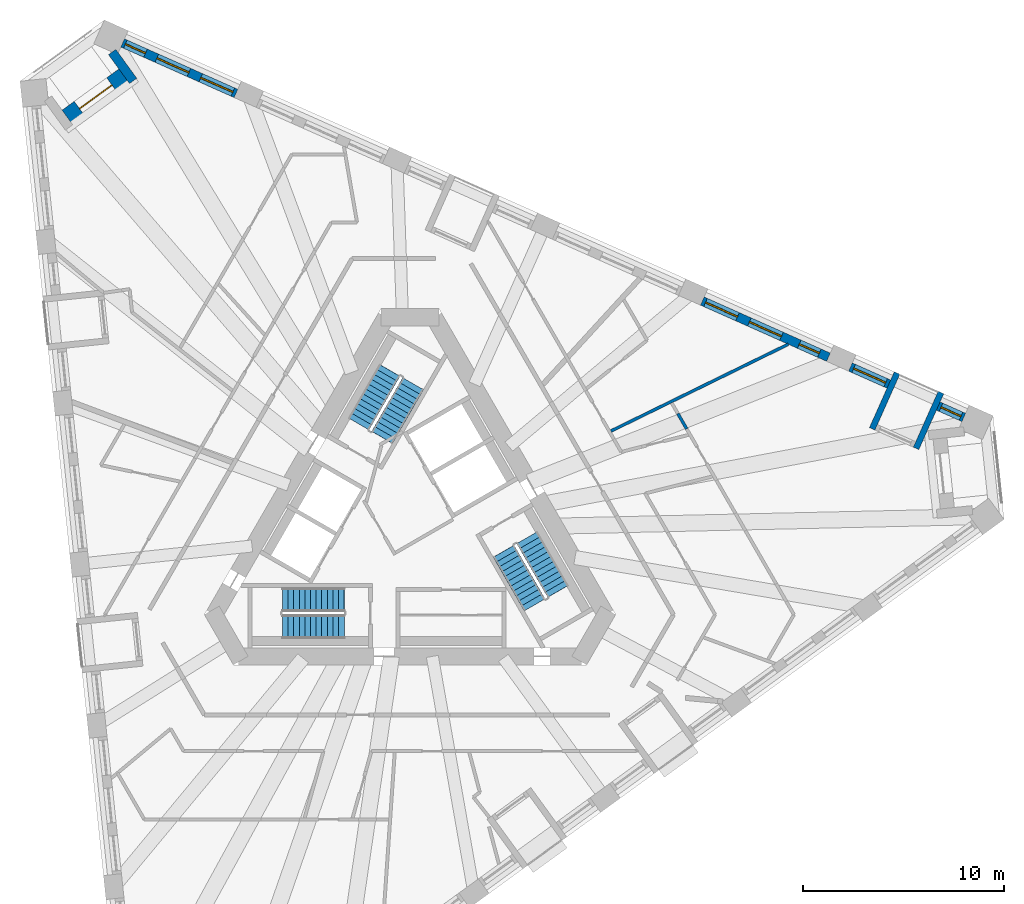
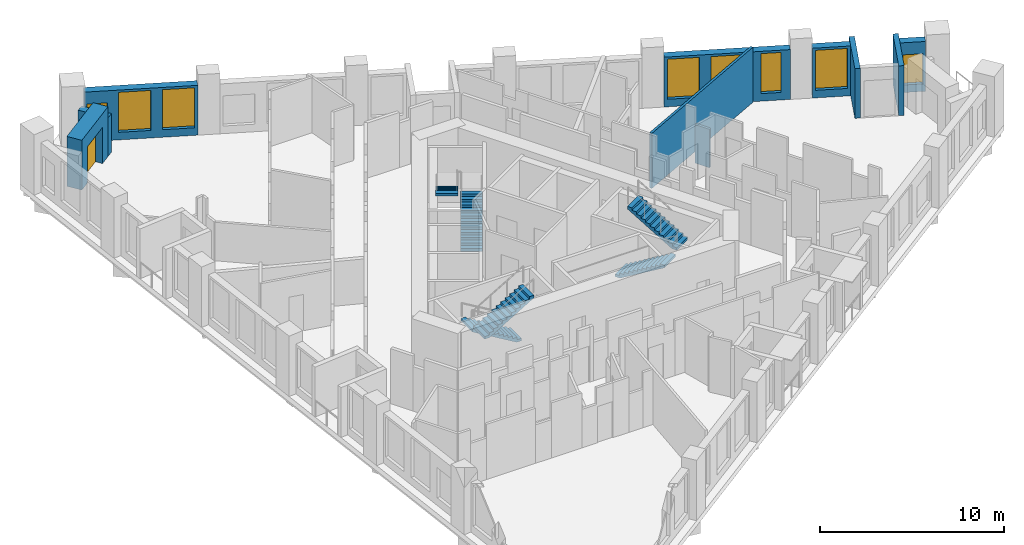
# One storey, part 9 of 14: 10 walls, 8 windows, 6 stair flights, 1 door, 9 openings, 3 elements without a shape of their own.
"""IFC4 building model written with IfcOpenShell, lengths in metres."""

from ifc_helpers import new_model, si_unit, direction, frame, frame_2d, origin, place, context, subcontext, project, spatial, polyline, rectangle, outline, extrude, material, layer, layer_set, type_object, element, fill, aggregate, save


model = new_model("IFC4")

# Units and contexts
model_context = context("Model", 3, precision=1e-05, world=origin(), true_north=direction((0.0, 1.0)))
body_context = subcontext(model_context, "Body", "Model", "MODEL_VIEW")
ifc_project = project(units=[si_unit("LENGTHUNIT", "METRE"), si_unit("AREAUNIT", "SQUARE_METRE"), si_unit("VOLUMEUNIT", "CUBIC_METRE"), si_unit("PLANEANGLEUNIT", "RADIAN"), si_unit("MASSUNIT", "GRAM", prefix="KILO")], contexts=[model_context])

# Site, building, storey
site_placement = place(None, origin())
site = spatial("IfcSite", under=ifc_project, at=site_placement, CompositionType="ELEMENT")
building_placement = place(site_placement, origin())
building = spatial("IfcBuilding", under=site, at=building_placement, Name="Tramontana Tower", CompositionType="ELEMENT")
storey_placement = place(building_placement, frame((0.0, 0.0, 186.800048828125)))
storey = spatial("IfcBuildingStorey", under=building, at=storey_placement, Name="L43", CompositionType="ELEMENT", Elevation=186.800048828125)

# Wall, opening, window
ifc_material_1 = material(Name="Precast concrete 60 MPa", Category="concrete")
ifc_layer_1 = layer(ifc_material_1, 0.449951171875)
ifc_layer_set_1 = layer_set([ifc_layer_1], Name="Precast concrete 60 MPa, 450 mm")
wall_type_1 = type_object("IfcWallType", Name="EW1 Stone-faced precast wall 450", PredefinedType="SOLIDWALL", material=ifc_layer_set_1)
wall_1_placement = place(storey_placement, frame((27.604736328125, 5.57958984375, 0.0), z_axis=(0.0, 0.0, 1.0), x_axis=(-0.913558681389, 0.406706940756, 0.0)))
wall_1 = element("IfcWall", 1, at=wall_1_placement, inside=storey, type_object=wall_type_1, Name="External wall L43 face 2 bay 1", PredefinedType="SOLIDWALL", context=body_context, shape_type="SweptSolid", body=[
    extrude(rectangle(XDim=1.39453125, YDim=0.449951171875, at=frame_2d((0.697265625, 0.0))), origin(), (0.0, 0.0, 1.0), 3.300048828125),
])
opening_1_placement = place(wall_1_placement, frame((0.147216796875, 0.0, 0.5)))
opening_1 = element("IfcOpeningElement", 2, at=opening_1_placement, cuts=wall_1, Name="Opening N2L", PredefinedType="OPENING", context=body_context, shape_type="SweptSolid", body=[
    extrude(rectangle(XDim=1.10009765625, YDim=2.0, at=frame_2d((0.550048828125, 1.0))), frame((0.0, 0.23486328125, 0.0), z_axis=(0.0, -1.0, 0.0), x_axis=(1.0, 0.0, 0.0)), (0.0, 0.0, 1.0), 0.469970703125),
])
ifc_material_2 = material(Name="Aluminum frame, double glazing unit", Category="aluminium")
window_type_1 = type_object("IfcWindowType", Name="N2L Window 1.1 x 2", PartitioningType="SINGLE_PANEL", PredefinedType="WINDOW", material=ifc_material_2)
window_1_placement = place(opening_1_placement, origin())
window_1 = element("IfcWindow", 3, at=window_1_placement, inside=storey, type_object=window_type_1, Name="Window N2L L43 face 2 module 1", OverallHeight=2.0, OverallWidth=1.10009765625, PartitioningType="SINGLE_PANEL", PredefinedType="WINDOW", context=body_context, shape_type="SweptSolid", body=[
    extrude(rectangle(XDim=1.10009765625, YDim=2.0, at=frame_2d((0.550048828125, 1.0))), frame((0.0, 0.030029296875, 0.0), z_axis=(0.0, -1.0, 0.0), x_axis=(1.0, 0.0, 0.0)), (0.0, 0.0, 1.0), 0.06005859375),
])
fill(opening_1, window_1)

wall_2_placement = place(storey_placement, frame((23.86962890625, 7.242431640625, 0.0), z_axis=(0.0, 0.0, 1.0), x_axis=(-0.913513282906, 0.406808901026, 0.0)))
wall_2 = element("IfcWall", 4, at=wall_2_placement, inside=storey, type_object=wall_type_1, Name="External wall L43 face 2 bay 1", PredefinedType="SOLIDWALL", context=body_context, shape_type="SweptSolid", body=[
    extrude(rectangle(XDim=2.094482421875, YDim=0.449951171875, at=frame_2d((1.04736328125, 0.0))), origin(), (0.0, 0.0, 1.0), 3.300048828125),
])
opening_2_placement = place(wall_2_placement, frame((0.172119140625, 0.0, 0.5)))
opening_2 = element("IfcOpeningElement", 5, at=opening_2_placement, cuts=wall_2, Name="Opening M2", PredefinedType="OPENING", context=body_context, shape_type="SweptSolid", body=[
    extrude(rectangle(XDim=1.75, YDim=2.64990234375, at=frame_2d((0.875, 1.324951171875))), frame((0.0, 0.23486328125, 0.0), z_axis=(0.0, -1.0, 0.0), x_axis=(1.0, 0.0, 0.0)), (0.0, 0.0, 1.0), 0.469970703125),
])
ifc_material_3 = material(Name="Aluminum frame, double glazing unit", Category="aluminium")
window_type_2 = type_object("IfcWindowType", Name="M2 Window 1.75 x 2.65", PartitioningType="SINGLE_PANEL", PredefinedType="WINDOW", material=ifc_material_3)
window_2_placement = place(opening_2_placement, origin())
window_2 = element("IfcWindow", 6, at=window_2_placement, inside=storey, type_object=window_type_2, Name="Window M2 L43 face 2 module 3", OverallHeight=2.64990234375, OverallWidth=1.75, PartitioningType="SINGLE_PANEL", PredefinedType="WINDOW", context=body_context, shape_type="SweptSolid", body=[
    extrude(rectangle(XDim=1.75, YDim=2.64990234375, at=frame_2d((0.875, 1.324951171875))), frame((0.0, 0.030029296875, 0.0), z_axis=(0.0, -1.0, 0.0), x_axis=(1.0, 0.0, 0.0)), (0.0, 0.0, 1.0), 0.06005859375),
])
fill(opening_2, window_2)

# Wall, openings, windows
wall_3_placement = place(storey_placement, frame((20.860107421875, 8.58251953125, 0.0), z_axis=(0.0, 0.0, 1.0), x_axis=(-0.913543675585, 0.40674064562, 0.0)))
wall_3 = element("IfcWall", 7, at=wall_3_placement, inside=storey, type_object=wall_type_1, Name="External wall L43 face 2 bay 2", PredefinedType="SOLIDWALL", context=body_context, shape_type="SweptSolid", body=[
    extrude(rectangle(XDim=6.8828125, YDim=0.449951171875, at=frame_2d((3.44140625, 0.0))), origin(), (0.0, 0.0, 1.0), 3.300048828125),
])
opening_3_placement = place(wall_3_placement, frame((0.4970703125, 0.0, 0.5)))
opening_3 = element("IfcOpeningElement", 8, at=opening_3_placement, cuts=wall_3, Name="Opening N2", PredefinedType="OPENING", context=body_context, shape_type="SweptSolid", body=[
    extrude(rectangle(XDim=1.10009765625, YDim=2.64990234375, at=frame_2d((0.550048828125, 1.324951171875))), frame((0.0, 0.23486328125, 0.0), z_axis=(0.0, -1.0, 0.0), x_axis=(1.0, 0.0, 0.0)), (0.0, 0.0, 1.0), 0.469970703125),
])
opening_4_placement = place(wall_3_placement, frame((2.56640625, 0.0, 0.5)))
opening_4 = element("IfcOpeningElement", 9, at=opening_4_placement, cuts=wall_3, Name="Opening M2", PredefinedType="OPENING", context=body_context, shape_type="SweptSolid", body=[
    extrude(rectangle(XDim=1.75, YDim=2.64990234375, at=frame_2d((0.875, 1.324951171875))), frame((0.0, 0.23486328125, 0.0), z_axis=(0.0, -1.0, 0.0), x_axis=(1.0, 0.0, 0.0)), (0.0, 0.0, 1.0), 0.469970703125),
])
opening_5_placement = place(wall_3_placement, frame((4.960693359375, 0.0, 0.5)))
opening_5 = element("IfcOpeningElement", 10, at=opening_5_placement, cuts=wall_3, Name="Opening M2", PredefinedType="OPENING", context=body_context, shape_type="SweptSolid", body=[
    extrude(rectangle(XDim=1.75, YDim=2.64990234375, at=frame_2d((0.875, 1.324951171875))), frame((0.0, 0.23486328125, 0.0), z_axis=(0.0, -1.0, 0.0), x_axis=(1.0, 0.0, 0.0)), (0.0, 0.0, 1.0), 0.469970703125),
])
window_3_placement = place(opening_4_placement, origin())
window_3 = element("IfcWindow", 11, at=window_3_placement, inside=storey, type_object=window_type_2, Name="Window M2 L43 face 2 module 5", OverallHeight=2.64990234375, OverallWidth=1.75, PartitioningType="SINGLE_PANEL", PredefinedType="WINDOW", context=body_context, shape_type="SweptSolid", body=[
    extrude(rectangle(XDim=1.75, YDim=2.64990234375, at=frame_2d((0.875, 1.324951171875))), frame((0.0, 0.030029296875, 0.0), z_axis=(0.0, -1.0, 0.0), x_axis=(1.0, 0.0, 0.0)), (0.0, 0.0, 1.0), 0.06005859375),
])
fill(opening_4, window_3)
window_4_placement = place(opening_5_placement, origin())
window_4 = element("IfcWindow", 12, at=window_4_placement, inside=storey, type_object=window_type_2, Name="Window M2 L43 face 2 module 6", OverallHeight=2.64990234375, OverallWidth=1.75, PartitioningType="SINGLE_PANEL", PredefinedType="WINDOW", context=body_context, shape_type="SweptSolid", body=[
    extrude(rectangle(XDim=1.75, YDim=2.64990234375, at=frame_2d((0.875, 1.324951171875))), frame((0.0, 0.030029296875, 0.0), z_axis=(0.0, -1.0, 0.0), x_axis=(1.0, 0.0, 0.0)), (0.0, 0.0, 1.0), 0.06005859375),
])
fill(opening_5, window_4)
ifc_material_4 = material(Name="Aluminum frame, double glazing unit", Category="aluminium")
window_type_3 = type_object("IfcWindowType", Name="N2 Window 1.1 x 2.65", PartitioningType="SINGLE_PANEL", PredefinedType="WINDOW", material=ifc_material_4)
window_5_placement = place(opening_3_placement, origin())
window_5 = element("IfcWindow", 13, at=window_5_placement, inside=storey, type_object=window_type_3, Name="Window N2 L43 face 2 module 4", OverallHeight=2.64990234375, OverallWidth=1.10009765625, PartitioningType="SINGLE_PANEL", PredefinedType="WINDOW", context=body_context, shape_type="SweptSolid", body=[
    extrude(rectangle(XDim=1.10009765625, YDim=2.64990234375, at=frame_2d((0.550048828125, 1.324951171875))), frame((0.0, 0.030029296875, 0.0), z_axis=(0.0, -1.0, 0.0), x_axis=(1.0, 0.0, 0.0)), (0.0, 0.0, 1.0), 0.06005859375),
])
fill(opening_3, window_5)

wall_4_placement = place(storey_placement, frame((-8.67626953125, 21.73291015625, 0.0), z_axis=(0.0, 0.0, 1.0), x_axis=(-0.913542682641, 0.406742875773, 0.0)))
wall_4 = element("IfcWall", 14, at=wall_4_placement, inside=storey, type_object=wall_type_1, Name="External wall L43 face 2 bay 6", PredefinedType="SOLIDWALL", context=body_context, shape_type="SweptSolid", body=[
    extrude(rectangle(XDim=6.18310546875, YDim=0.449951171875, at=frame_2d((3.091552734375, 0.0))), origin(), (0.0, 0.0, 1.0), 3.300048828125),
])
opening_6_placement = place(wall_4_placement, frame((0.172119140625, 0.0, 0.5)))
opening_6 = element("IfcOpeningElement", 15, at=opening_6_placement, cuts=wall_4, Name="Opening M2", PredefinedType="OPENING", context=body_context, shape_type="SweptSolid", body=[
    extrude(rectangle(XDim=1.75, YDim=2.64990234375, at=frame_2d((0.875, 1.324951171875))), frame((0.0, 0.23486328125, 0.0), z_axis=(0.0, -1.0, 0.0), x_axis=(1.0, 0.0, 0.0)), (0.0, 0.0, 1.0), 0.469970703125),
])
opening_7_placement = place(wall_4_placement, frame((2.56640625, 0.0, 0.5)))
opening_7 = element("IfcOpeningElement", 16, at=opening_7_placement, cuts=wall_4, Name="Opening M2", PredefinedType="OPENING", context=body_context, shape_type="SweptSolid", body=[
    extrude(rectangle(XDim=1.75, YDim=2.64990234375, at=frame_2d((0.875, 1.324951171875))), frame((0.0, 0.23486328125, 0.0), z_axis=(0.0, -1.0, 0.0), x_axis=(1.0, 0.0, 0.0)), (0.0, 0.0, 1.0), 0.469970703125),
])
opening_8_placement = place(wall_4_placement, frame((4.935791015625, 0.0, 0.5)))
opening_8 = element("IfcOpeningElement", 17, at=opening_8_placement, cuts=wall_4, Name="Opening N2L", PredefinedType="OPENING", context=body_context, shape_type="SweptSolid", body=[
    extrude(rectangle(XDim=1.10009765625, YDim=2.0, at=frame_2d((0.550048828125, 1.0))), frame((0.0, 0.23486328125, 0.0), z_axis=(0.0, -1.0, 0.0), x_axis=(1.0, 0.0, 0.0)), (0.0, 0.0, 1.0), 0.469970703125),
])
window_6_placement = place(opening_6_placement, origin())
window_6 = element("IfcWindow", 18, at=window_6_placement, inside=storey, type_object=window_type_2, Name="Window M2 L43 face 2 module 16", OverallHeight=2.64990234375, OverallWidth=1.75, PartitioningType="SINGLE_PANEL", PredefinedType="WINDOW", context=body_context, shape_type="SweptSolid", body=[
    extrude(rectangle(XDim=1.75, YDim=2.64990234375, at=frame_2d((0.875, 1.324951171875))), frame((0.0, 0.030029296875, 0.0), z_axis=(0.0, -1.0, 0.0), x_axis=(1.0, 0.0, 0.0)), (0.0, 0.0, 1.0), 0.06005859375),
])
fill(opening_6, window_6)
window_7_placement = place(opening_7_placement, origin())
window_7 = element("IfcWindow", 19, at=window_7_placement, inside=storey, type_object=window_type_2, Name="Window M2 L43 face 2 module 17", OverallHeight=2.64990234375, OverallWidth=1.75, PartitioningType="SINGLE_PANEL", PredefinedType="WINDOW", context=body_context, shape_type="SweptSolid", body=[
    extrude(rectangle(XDim=1.75, YDim=2.64990234375, at=frame_2d((0.875, 1.324951171875))), frame((0.0, 0.030029296875, 0.0), z_axis=(0.0, -1.0, 0.0), x_axis=(1.0, 0.0, 0.0)), (0.0, 0.0, 1.0), 0.06005859375),
])
fill(opening_7, window_7)
window_8_placement = place(opening_8_placement, origin())
window_8 = element("IfcWindow", 20, at=window_8_placement, inside=storey, type_object=window_type_1, Name="Window N2L L43 face 2 module 18", OverallHeight=2.0, OverallWidth=1.10009765625, PartitioningType="SINGLE_PANEL", PredefinedType="WINDOW", context=body_context, shape_type="SweptSolid", body=[
    extrude(rectangle(XDim=1.10009765625, YDim=2.0, at=frame_2d((0.550048828125, 1.0))), frame((0.0, 0.030029296875, 0.0), z_axis=(0.0, -1.0, 0.0), x_axis=(1.0, 0.0, 0.0)), (0.0, 0.0, 1.0), 0.06005859375),
])
fill(opening_8, window_8)

# Wall
wall_5_placement = place(storey_placement, frame((-14.847900390625, 23.796630859375, 0.0), z_axis=(0.0, 0.0, 1.0), x_axis=(0.587722853316, -0.809062326209, 0.0)))
element("IfcWall", 21, at=wall_5_placement, inside=storey, type_object=wall_type_1, Name="Corner loggia side wall L43 K40r", PredefinedType="SOLIDWALL", context=body_context, shape_type="SweptSolid", body=[
    extrude(rectangle(XDim=1.779052734375, YDim=0.449951171875, at=frame_2d((0.8896484375, 0.0))), origin(), (0.0, 0.0, 1.0), 2.550048828125),
])

# Wall, opening, door
ifc_material_5 = material(Name="Precast concrete 60 MPa", Category="concrete")
ifc_layer_2 = layer(ifc_material_5, 0.89990234375)
ifc_layer_set_2 = layer_set([ifc_layer_2], Name="EW2 Stone-faced corner loggia wall 900")
wall_type_2 = type_object("IfcWallType", Name="EW2 Stone-faced corner loggia wall 900", PredefinedType="SOLIDWALL", material=ifc_layer_set_2)
wall_6_placement = place(storey_placement, frame((-17.080322265625, 20.53173828125, 0.0), z_axis=(0.0, 0.0, 1.0), x_axis=(0.809031597325, 0.587765152531, 0.0)))
wall_6 = element("IfcWall", 22, at=wall_6_placement, inside=storey, type_object=wall_type_2, Name="Corner loggia wall L43 K40", PredefinedType="SOLIDWALL", context=body_context, shape_type="SweptSolid", body=[
    extrude(rectangle(XDim=3.5, YDim=0.89990234375, at=frame_2d((1.75, 0.0))), origin(), (0.0, 0.0, 1.0), 3.300048828125),
])
opening_9_placement = place(wall_6_placement, frame((0.75, 0.0, 0.0)))
opening_9 = element("IfcOpeningElement", 23, at=opening_9_placement, cuts=wall_6, Name="Opening BD-40C", PredefinedType="OPENING", context=body_context, shape_type="SweptSolid", body=[
    extrude(rectangle(XDim=2.0, YDim=2.39990234375, at=frame_2d((1.0, 1.199951171875))), frame((0.0, 0.4599609375, 0.0), z_axis=(0.0, -1.0, 0.0), x_axis=(1.0, 0.0, 0.0)), (0.0, 0.0, 1.0), 0.919921875),
])
ifc_material_6 = material(Name="Aluminum frame, double glazing unit", Category="aluminium")
door_type = type_object("IfcDoorType", Name="BC1 Sliding door 2 x 2.4", OperationType="SLIDING_TO_LEFT", PredefinedType="DOOR", material=ifc_material_6)
door_placement = place(opening_9_placement, origin())
door = element("IfcDoor", 24, at=door_placement, inside=storey, type_object=door_type, Name="Corner loggia door L43 K40", OperationType="SLIDING_TO_LEFT", OverallHeight=2.39990234375, OverallWidth=2.0, PredefinedType="DOOR", context=body_context, shape_type="SweptSolid", body=[
    extrude(rectangle(XDim=2.0, YDim=2.39990234375, at=frame_2d((1.0, 1.199951171875))), frame((0.0, 0.02490234375, 0.0), z_axis=(0.0, -1.0, 0.0), x_axis=(1.0, 0.0, 0.0)), (0.0, 0.0, 1.0), 0.050048828125),
])
fill(opening_9, door)

# Walls
ifc_material_7 = material(Name="Precast concrete 60 MPa", Category="concrete")
ifc_layer_3 = layer(ifc_material_7, 0.300048828125)
ifc_layer_set_3 = layer_set([ifc_layer_3], Name="LW1 Stone-faced loggia wall 300")
wall_type_3 = type_object("IfcWallType", Name="LW1 Stone-faced loggia wall 300", PredefinedType="SOLIDWALL", material=ifc_layer_set_3)
for number, where, z_axis, x_axis, name in (
    (25, (26.468505859375, 6.82421875, 0.0), (0.0, 0.0, 1.0), (-0.406806804169, -0.913514216683, 0.0), "Loggia return L43 G4S2.1a"),
    (26, (24.281005859375, 7.798095703125, 0.0), (0.0, 0.0, 1.0), (-0.406739999721, -0.91354396316, 0.0), "Loggia return L43 G4S2.1b"),
):
    element("IfcWall", number, at=place(storey_placement, frame(where, z_axis=z_axis, x_axis=x_axis)), inside=storey, type_object=wall_type_3, Name=name, PredefinedType="SOLIDWALL", context=body_context, shape_type="SweptSolid", body=[
        extrude(rectangle(XDim=3.0498046875, YDim=0.300048828125, at=frame_2d((1.52490234375, 0.0))), origin(), (0.0, 0.0, 1.0), 3.300048828125),
    ])
ifc_material_8 = material(Name="Gypsum board partition")
ifc_layer_4 = layer(ifc_material_8, 0.14990234375)
ifc_layer_set_4 = layer_set([ifc_layer_4], Name="PARTITION 150")
wall_type_4 = type_object("IfcWallType", Name="PARTITION 150", PredefinedType="PARTITIONING", material=ifc_layer_set_4)
wall_7_placement = place(storey_placement, frame((10.015869140625, 4.902099609375, 0.0), z_axis=(0.0, 0.0, 1.0), x_axis=(0.898175873885, 0.439636326492, 0.0)))
element("IfcWall", 27, at=wall_7_placement, inside=storey, type_object=wall_type_4, Name="Wall v42-pw28", PredefinedType="PARTITIONING", context=body_context, shape_type="SweptSolid", body=[
    extrude(rectangle(XDim=9.841552734375, YDim=0.14990234375, at=frame_2d((4.9208984375, 0.0))), origin(), (0.0, 0.0, 1.0), 3.64990234375),
])
wall_8_placement = place(storey_placement, frame((13.3505859375, 5.7763671875, 0.0), z_axis=(0.0, 0.0, 1.0), x_axis=(0.499969398072, -0.866043071095, 0.0)))
element("IfcWall", 28, at=wall_8_placement, inside=storey, type_object=wall_type_4, Name="Wall v42-pw37-1", PredefinedType="PARTITIONING", context=body_context, shape_type="SweptSolid", body=[
    extrude(rectangle(XDim=0.88427734375, YDim=0.14990234375, at=frame_2d((0.442138671875, 0.0))), origin(), (0.0, 0.0, 1.0), 2.550048828125),
])

# Stair, stair flights
ifc_material_9 = material(Name="Concrete 40 MPa", Category="concrete")
stair_type = type_object("IfcStairType", Name="EXIT STAIR 24 RISERS", PredefinedType="HALF_TURN_STAIR", material=ifc_material_9)
stair_1_placement = place(storey_placement, origin())
stair_1 = element("IfcStair", 29, at=stair_1_placement, inside=storey, type_object=stair_type, Name="L43 Exit stair ST1", PredefinedType="HALF_TURN_STAIR")
ifc_material_10 = material(Name="Concrete 40 MPa", Category="concrete")
ifc_layer_5 = layer(ifc_material_10, 0.14990234375)
ifc_layer_set_5 = layer_set([ifc_layer_5], Name="EXIT STAIR FLIGHT")
stair_flight_type = type_object("IfcStairFlightType", Name="EXIT STAIR FLIGHT", PredefinedType="STRAIGHT", material=ifc_layer_set_5)
stair_flight_1_placement = place(storey_placement, frame((-1.39111328125, 4.590576171875, 0.0), z_axis=(0.0, 0.0, 1.0), x_axis=(0.5, 0.866025403784, 0.0)))
stair_flight_1 = element("IfcStairFlight", 30, at=stair_flight_1_placement, type_object=stair_flight_type, Name="ST1 flight 1", NumberOfRisers=12, NumberOfTreads=11, PredefinedType="STRAIGHT", RiserHeight=0.166666667, TreadLength=0.28, context=body_context, shape_type="SweptSolid", body=[
    extrude(outline(polyline([(-0.006103515625, 0.0), (-0.006103515625, 0.0400390625), (0.0, 0.0400390625), (0.0, 0.166748046875), (0.280029296875, 0.166748046875), (0.280029296875, 0.333251953125), (0.56005859375, 0.333251953125), (0.56005859375, 0.5), (0.840087890625, 0.5), (0.840087890625, 0.666748046875), (1.1201171875, 0.666748046875), (1.1201171875, 0.833251953125), (1.39990234375, 0.833251953125), (1.39990234375, 1.0), (1.679931640625, 1.0), (1.679931640625, 1.166748046875), (1.9599609375, 1.166748046875), (1.9599609375, 1.333251953125), (2.239990234375, 1.333251953125), (2.239990234375, 1.5), (2.52001953125, 1.5), (2.52001953125, 1.666748046875), (2.800048828125, 1.666748046875), (2.800048828125, 1.833251953125), (3.080078125, 1.833251953125), (3.0859375, 1.833251953125), (3.0859375, 1.658935546875), (0.299072265625, 0.0), (-0.006103515625, 0.0)])), frame((0.0, 0.60009765625, 0.0), z_axis=(0.0, -1.0, 0.0), x_axis=(1.0, 0.0, 0.0)), (0.0, 0.0, 1.0), 1.199951171875),
])
stair_flight_2_placement = place(storey_placement, frame((-1.020263671875, 7.932861328125, 2.0), z_axis=(0.0, 0.0, 1.0), x_axis=(-0.5, -0.866025403784, 0.0)))
stair_flight_2 = element("IfcStairFlight", 31, at=stair_flight_2_placement, type_object=stair_flight_type, Name="ST1 flight 2", NumberOfRisers=12, NumberOfTreads=11, PredefinedType="STRAIGHT", RiserHeight=0.166666667, TreadLength=0.28, context=body_context, shape_type="SweptSolid", body=[
    extrude(outline(polyline([(-0.006103515625, 0.0), (-0.006103515625, 0.0400390625), (0.0, 0.0400390625), (0.0, 0.166748046875), (0.280029296875, 0.166748046875), (0.280029296875, 0.333251953125), (0.56005859375, 0.333251953125), (0.56005859375, 0.5), (0.840087890625, 0.5), (0.840087890625, 0.666748046875), (1.1201171875, 0.666748046875), (1.1201171875, 0.833251953125), (1.39990234375, 0.833251953125), (1.39990234375, 1.0), (1.679931640625, 1.0), (1.679931640625, 1.166748046875), (1.9599609375, 1.166748046875), (1.9599609375, 1.333251953125), (2.239990234375, 1.333251953125), (2.239990234375, 1.5), (2.52001953125, 1.5), (2.52001953125, 1.666748046875), (2.800048828125, 1.666748046875), (2.800048828125, 1.833251953125), (3.080078125, 1.833251953125), (3.0859375, 1.833251953125), (3.0859375, 1.658935546875), (0.299072265625, 0.0), (-0.006103515625, 0.0)])), frame((0.0, 0.60009765625, 0.0), z_axis=(0.0, -1.0, 0.0), x_axis=(1.0, 0.0, 0.0)), (0.0, 0.0, 1.0), 1.199951171875),
])
aggregate(stair_1, [stair_flight_1, stair_flight_2])

stair_2_placement = place(storey_placement, origin())
stair_2 = element("IfcStair", 32, at=stair_2_placement, inside=storey, type_object=stair_type, Name="L43 Exit stair ST2", PredefinedType="HALF_TURN_STAIR")
stair_flight_3_placement = place(storey_placement, frame((-3.280029296875, -3.5, 0.0), z_axis=(0.0, 0.0, 1.0), x_axis=(-1.0, 0.0, 0.0)))
stair_flight_3 = element("IfcStairFlight", 33, at=stair_flight_3_placement, type_object=stair_flight_type, Name="ST2 flight 1", NumberOfRisers=12, NumberOfTreads=11, PredefinedType="STRAIGHT", RiserHeight=0.166666667, TreadLength=0.28, context=body_context, shape_type="SweptSolid", body=[
    extrude(outline(polyline([(-0.006103515625, 0.0), (-0.006103515625, 0.0400390625), (0.0, 0.0400390625), (0.0, 0.166748046875), (0.280029296875, 0.166748046875), (0.280029296875, 0.333251953125), (0.56005859375, 0.333251953125), (0.56005859375, 0.5), (0.840087890625, 0.5), (0.840087890625, 0.666748046875), (1.1201171875, 0.666748046875), (1.1201171875, 0.833251953125), (1.39990234375, 0.833251953125), (1.39990234375, 1.0), (1.679931640625, 1.0), (1.679931640625, 1.166748046875), (1.9599609375, 1.166748046875), (1.9599609375, 1.333251953125), (2.239990234375, 1.333251953125), (2.239990234375, 1.5), (2.52001953125, 1.5), (2.52001953125, 1.666748046875), (2.800048828125, 1.666748046875), (2.800048828125, 1.833251953125), (3.080078125, 1.833251953125), (3.0859375, 1.833251953125), (3.0859375, 1.658935546875), (0.299072265625, 0.0), (-0.006103515625, 0.0)])), frame((0.0, 0.60009765625, 0.0), z_axis=(0.0, -1.0, 0.0), x_axis=(1.0, 0.0, 0.0)), (0.0, 0.0, 1.0), 1.199951171875),
])
stair_flight_4_placement = place(storey_placement, frame((-6.360107421875, -4.85009765625, 2.0), z_axis=(0.0, 0.0, 1.0), x_axis=(1.0, 0.0, 0.0)))
stair_flight_4 = element("IfcStairFlight", 34, at=stair_flight_4_placement, type_object=stair_flight_type, Name="ST2 flight 2", NumberOfRisers=12, NumberOfTreads=11, PredefinedType="STRAIGHT", RiserHeight=0.166666667, TreadLength=0.28, context=body_context, shape_type="SweptSolid", body=[
    extrude(outline(polyline([(-0.006103515625, 0.0), (-0.006103515625, 0.0400390625), (0.0, 0.0400390625), (0.0, 0.166748046875), (0.280029296875, 0.166748046875), (0.280029296875, 0.333251953125), (0.56005859375, 0.333251953125), (0.56005859375, 0.5), (0.840087890625, 0.5), (0.840087890625, 0.666748046875), (1.1201171875, 0.666748046875), (1.1201171875, 0.833251953125), (1.39990234375, 0.833251953125), (1.39990234375, 1.0), (1.679931640625, 1.0), (1.679931640625, 1.166748046875), (1.9599609375, 1.166748046875), (1.9599609375, 1.333251953125), (2.239990234375, 1.333251953125), (2.239990234375, 1.5), (2.52001953125, 1.5), (2.52001953125, 1.666748046875), (2.800048828125, 1.666748046875), (2.800048828125, 1.833251953125), (3.080078125, 1.833251953125), (3.0859375, 1.833251953125), (3.0859375, 1.658935546875), (0.299072265625, 0.0), (-0.006103515625, 0.0)])), frame((0.0, 0.60009765625, 0.0), z_axis=(0.0, -1.0, 0.0), x_axis=(1.0, 0.0, 0.0)), (0.0, 0.0, 1.0), 1.199951171875),
])
aggregate(stair_2, [stair_flight_3, stair_flight_4])

stair_3_placement = place(storey_placement, origin())
stair_3 = element("IfcStair", 35, at=stair_3_placement, inside=storey, type_object=stair_type, Name="L43 Exit stair ST3", PredefinedType="HALF_TURN_STAIR")
stair_flight_5_placement = place(storey_placement, frame((4.671142578125, -1.090576171875, 0.0), z_axis=(0.0, 0.0, 1.0), x_axis=(0.5, -0.866025403784, 0.0)))
stair_flight_5 = element("IfcStairFlight", 36, at=stair_flight_5_placement, type_object=stair_flight_type, Name="ST3 flight 1", NumberOfRisers=12, NumberOfTreads=11, PredefinedType="STRAIGHT", RiserHeight=0.166666667, TreadLength=0.28, context=body_context, shape_type="SweptSolid", body=[
    extrude(outline(polyline([(-0.006103515625, 0.0), (-0.006103515625, 0.0400390625), (0.0, 0.0400390625), (0.0, 0.166748046875), (0.280029296875, 0.166748046875), (0.280029296875, 0.333251953125), (0.56005859375, 0.333251953125), (0.56005859375, 0.5), (0.840087890625, 0.5), (0.840087890625, 0.666748046875), (1.1201171875, 0.666748046875), (1.1201171875, 0.833251953125), (1.39990234375, 0.833251953125), (1.39990234375, 1.0), (1.679931640625, 1.0), (1.679931640625, 1.166748046875), (1.9599609375, 1.166748046875), (1.9599609375, 1.333251953125), (2.239990234375, 1.333251953125), (2.239990234375, 1.5), (2.52001953125, 1.5), (2.52001953125, 1.666748046875), (2.800048828125, 1.666748046875), (2.800048828125, 1.833251953125), (3.080078125, 1.833251953125), (3.0859375, 1.833251953125), (3.0859375, 1.658935546875), (0.299072265625, 0.0), (-0.006103515625, 0.0)])), frame((0.0, 0.60009765625, 0.0), z_axis=(0.0, -1.0, 0.0), x_axis=(1.0, 0.0, 0.0)), (0.0, 0.0, 1.0), 1.199951171875),
])
stair_flight_6_placement = place(storey_placement, frame((7.380126953125, -3.0830078125, 2.0), z_axis=(0.0, 0.0, 1.0), x_axis=(-0.5, 0.866025403784, 0.0)))
stair_flight_6 = element("IfcStairFlight", 37, at=stair_flight_6_placement, type_object=stair_flight_type, Name="ST3 flight 2", NumberOfRisers=12, NumberOfTreads=11, PredefinedType="STRAIGHT", RiserHeight=0.166666667, TreadLength=0.28, context=body_context, shape_type="SweptSolid", body=[
    extrude(outline(polyline([(-0.006103515625, 0.0), (-0.006103515625, 0.0400390625), (0.0, 0.0400390625), (0.0, 0.166748046875), (0.280029296875, 0.166748046875), (0.280029296875, 0.333251953125), (0.56005859375, 0.333251953125), (0.56005859375, 0.5), (0.840087890625, 0.5), (0.840087890625, 0.666748046875), (1.1201171875, 0.666748046875), (1.1201171875, 0.833251953125), (1.39990234375, 0.833251953125), (1.39990234375, 1.0), (1.679931640625, 1.0), (1.679931640625, 1.166748046875), (1.9599609375, 1.166748046875), (1.9599609375, 1.333251953125), (2.239990234375, 1.333251953125), (2.239990234375, 1.5), (2.52001953125, 1.5), (2.52001953125, 1.666748046875), (2.800048828125, 1.666748046875), (2.800048828125, 1.833251953125), (3.080078125, 1.833251953125), (3.0859375, 1.833251953125), (3.0859375, 1.658935546875), (0.299072265625, 0.0), (-0.006103515625, 0.0)])), frame((0.0, 0.60009765625, 0.0), z_axis=(0.0, -1.0, 0.0), x_axis=(1.0, 0.0, 0.0)), (0.0, 0.0, 1.0), 1.199951171875),
])
aggregate(stair_3, [stair_flight_5, stair_flight_6])

save(model, "model.ifc")
